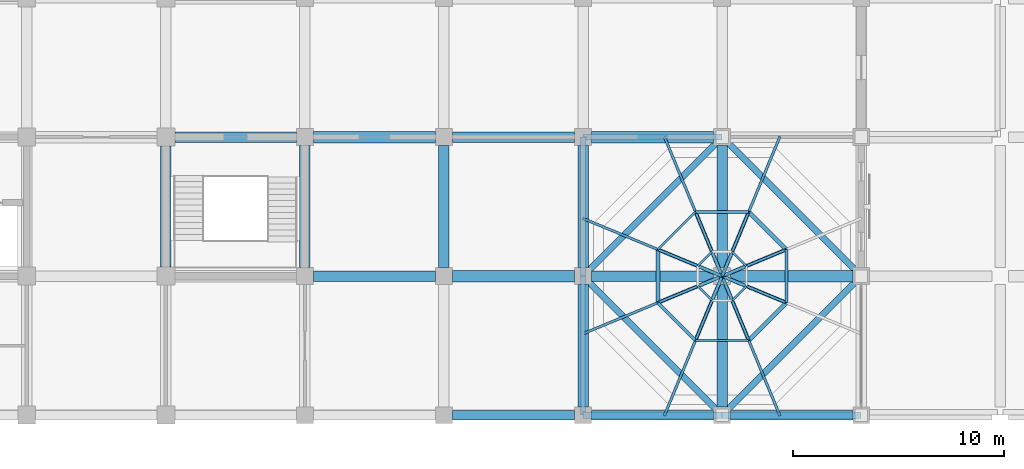
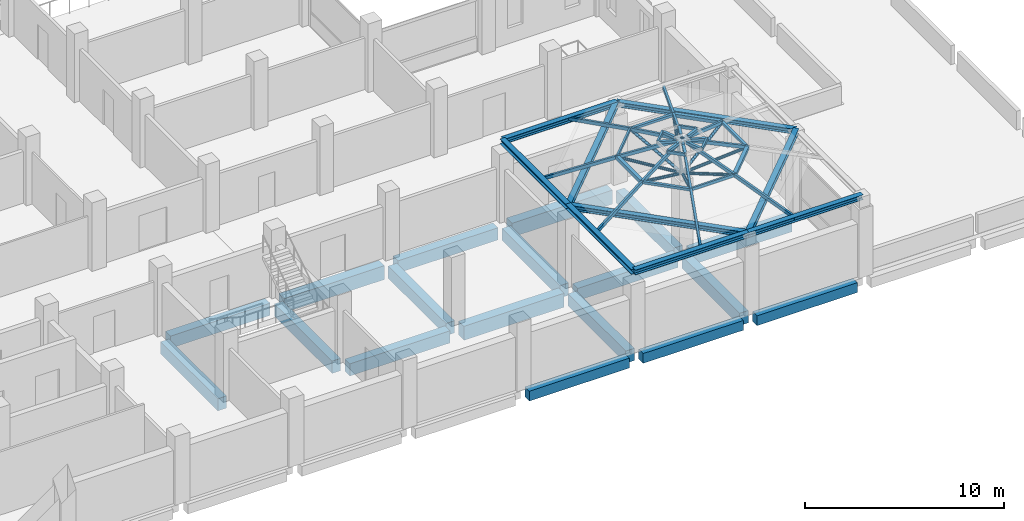
# One storey, part 2 of 25: 42 members, 27 beams.
"""IFC4 building model written with IfcOpenShell, lengths in metres."""

from ifc_helpers import new_model, si_unit, direction, frame, origin, origin_2d, place, context, subcontext, project, spatial, rectangle, hollow_rectangle, hollow_circle, i_section, extrude, material, material_profile, profile_set, type_object, element, save


model = new_model("IFC4")

# Units and contexts
model_context = context("Model", 3, precision=1e-05, world=origin(), true_north=direction((0.0, 1.0)))
body_context = subcontext(model_context, "Body", "Model", "MODEL_VIEW")
ifc_project = project(units=[si_unit("LENGTHUNIT", "METRE"), si_unit("AREAUNIT", "SQUARE_METRE"), si_unit("VOLUMEUNIT", "CUBIC_METRE"), si_unit("PLANEANGLEUNIT", "RADIAN"), si_unit("MASSUNIT", "GRAM", prefix="KILO")], contexts=[model_context])

# Site, building, storey
site_placement = place(None, origin())
site = spatial("IfcSite", under=ifc_project, at=site_placement, CompositionType="ELEMENT")
building_placement = place(site_placement, origin())
building = spatial("IfcBuilding", under=site, at=building_placement, Name="Rusizi Kubbe Research Institute", CompositionType="ELEMENT")
storey_placement = place(building_placement, frame((0.0, 0.0, 14.39990234375)))
storey = spatial("IfcBuildingStorey", under=building, at=storey_placement, Name="L03", CompositionType="ELEMENT", Elevation=14.39990234375)

# Beams
ifc_material_1 = material(Name="Steel S355", Category="steel")
ifc_material_profile_1 = material_profile(ifc_material_1, i_section(OverallWidth=0.300048828125, OverallDepth=0.300048828125, WebThickness=0.010986328125, FlangeThickness=0.01904296875, at=origin_2d()), Name="HEB 300")
ifc_profile_set_1 = profile_set([ifc_material_profile_1], Name="Steel S355")
beam_type_1 = type_object("IfcBeamType", Name="BM-HEB300", PredefinedType="BEAM", material=ifc_profile_set_1)
beam_1_placement = place(storey_placement, frame((52.800048828125, 0.0, 4.7001953125), z_axis=(1.0, 0.0, 0.0), x_axis=(0.0, 1.0, 0.0)))
element("IfcBeam", 1, at=beam_1_placement, inside=storey, type_object=beam_type_1, Name="Kubbe Dome Ring Beam DOME-EP1 S1", PredefinedType="BEAM", context=body_context, shape_type="SweptSolid", body=[
    extrude(i_section(OverallWidth=0.300048828125, OverallDepth=0.300048828125, WebThickness=0.010986328125, FlangeThickness=0.01904296875, at=origin_2d()), origin(), (0.0, 0.0, 1.0), 6.599853515625),
])
beam_2_placement = place(storey_placement, frame((59.39990234375, 0.0, 4.7001953125), z_axis=(1.0, 0.0, 0.0), x_axis=(0.0, 1.0, 0.0)))
element("IfcBeam", 2, at=beam_2_placement, inside=storey, type_object=beam_type_1, Name="Kubbe Dome Ring Beam DOME-EP1 S2", PredefinedType="BEAM", context=body_context, shape_type="SweptSolid", body=[
    extrude(i_section(OverallWidth=0.300048828125, OverallDepth=0.300048828125, WebThickness=0.010986328125, FlangeThickness=0.01904296875, at=origin_2d()), origin(), (0.0, 0.0, 1.0), 6.60009765625),
])
beam_3_placement = place(storey_placement, frame((52.800048828125, 13.199951171875, 4.7001953125), z_axis=(1.0, 0.0, 0.0), x_axis=(0.0, 1.0, 0.0)))
element("IfcBeam", 3, at=beam_3_placement, inside=storey, type_object=beam_type_1, Name="Kubbe Dome Ring Beam DOME-EP1 N1", PredefinedType="BEAM", context=body_context, shape_type="SweptSolid", body=[
    extrude(i_section(OverallWidth=0.300048828125, OverallDepth=0.300048828125, WebThickness=0.010986328125, FlangeThickness=0.01904296875, at=origin_2d()), origin(), (0.0, 0.0, 1.0), 6.599853515625),
])
beam_4_placement = place(storey_placement, frame((52.800048828125, 0.0, 4.7001953125), z_axis=(0.0, 1.0, 0.0), x_axis=(-1.0, 0.0, 0.0)))
element("IfcBeam", 4, at=beam_4_placement, inside=storey, type_object=beam_type_1, Name="Kubbe Dome Ring Beam DOME-EP1 W1", PredefinedType="BEAM", context=body_context, shape_type="SweptSolid", body=[
    extrude(i_section(OverallWidth=0.300048828125, OverallDepth=0.300048828125, WebThickness=0.010986328125, FlangeThickness=0.01904296875, at=origin_2d()), origin(), (0.0, 0.0, 1.0), 6.60009765625),
])
beam_5_placement = place(storey_placement, frame((52.800048828125, 6.60009765625, 4.7001953125), z_axis=(0.0, 1.0, 0.0), x_axis=(-1.0, 0.0, 0.0)))
element("IfcBeam", 5, at=beam_5_placement, inside=storey, type_object=beam_type_1, Name="Kubbe Dome Ring Beam DOME-EP1 W2", PredefinedType="BEAM", context=body_context, shape_type="SweptSolid", body=[
    extrude(i_section(OverallWidth=0.300048828125, OverallDepth=0.300048828125, WebThickness=0.010986328125, FlangeThickness=0.01904296875, at=origin_2d()), origin(), (0.0, 0.0, 1.0), 6.599853515625),
])
beam_6_placement = place(storey_placement, frame((52.800048828125, 6.60009765625, 4.7001953125), z_axis=(0.707093702722, -0.707119859409, 0.0), x_axis=(0.707119859409, 0.707093702722, 0.0)))
element("IfcBeam", 6, at=beam_6_placement, inside=storey, type_object=beam_type_1, Name="Kubbe Dome Ring Beam DOME-EP1 PSW", PredefinedType="BEAM", context=body_context, shape_type="SweptSolid", body=[
    extrude(i_section(OverallWidth=0.300048828125, OverallDepth=0.300048828125, WebThickness=0.010986328125, FlangeThickness=0.01904296875, at=origin_2d()), origin(), (0.0, 0.0, 1.0), 9.333740234375),
])
beam_7_placement = place(storey_placement, frame((59.39990234375, 0.0, 4.7001953125), z_axis=(0.707106781187, 0.707106781187, 0.0), x_axis=(-0.707106781187, 0.707106781187, 0.0)))
element("IfcBeam", 7, at=beam_7_placement, inside=storey, type_object=beam_type_1, Name="Kubbe Dome Ring Beam DOME-EP1 PSE", PredefinedType="BEAM", context=body_context, shape_type="SweptSolid", body=[
    extrude(i_section(OverallWidth=0.300048828125, OverallDepth=0.300048828125, WebThickness=0.010986328125, FlangeThickness=0.01904296875, at=origin_2d()), origin(), (0.0, 0.0, 1.0), 9.333984375),
])
beam_8_placement = place(storey_placement, frame((66.0, 6.60009765625, 4.7001953125), z_axis=(-0.707119859409, 0.707093702722, 0.0), x_axis=(-0.707093702722, -0.707119859409, 0.0)))
element("IfcBeam", 8, at=beam_8_placement, inside=storey, type_object=beam_type_1, Name="Kubbe Dome Ring Beam DOME-EP1 PNE", PredefinedType="BEAM", context=body_context, shape_type="SweptSolid", body=[
    extrude(i_section(OverallWidth=0.300048828125, OverallDepth=0.300048828125, WebThickness=0.010986328125, FlangeThickness=0.01904296875, at=origin_2d()), origin(), (0.0, 0.0, 1.0), 9.333740234375),
])
beam_9_placement = place(storey_placement, frame((59.39990234375, 13.199951171875, 4.7001953125), z_axis=(-0.707106781187, -0.707106781187, 0.0), x_axis=(0.707106781187, -0.707106781187, 0.0)))
element("IfcBeam", 9, at=beam_9_placement, inside=storey, type_object=beam_type_1, Name="Kubbe Dome Ring Beam DOME-EP1 PNW", PredefinedType="BEAM", context=body_context, shape_type="SweptSolid", body=[
    extrude(i_section(OverallWidth=0.300048828125, OverallDepth=0.300048828125, WebThickness=0.010986328125, FlangeThickness=0.01904296875, at=origin_2d()), origin(), (0.0, 0.0, 1.0), 9.33349609375),
])
ifc_material_2 = material(Name="Concrete C40/50", Category="concrete")
ifc_material_profile_2 = material_profile(ifc_material_2, rectangle(XDim=0.449951171875, YDim=0.60009765625, at=origin_2d()), Name="RC450x600")
ifc_profile_set_2 = profile_set([ifc_material_profile_2], Name="Concrete C40/50")
beam_type_2 = type_object("IfcBeamType", Name="BM-RC450x600", PredefinedType="SPANDREL", material=ifc_profile_set_2)
beam_10_placement = place(storey_placement, frame((46.60009765625, 0.0, -0.64990234375), z_axis=(1.0, 0.0, 0.0), x_axis=(0.0, 1.0, 0.0)))
element("IfcBeam", 10, at=beam_10_placement, inside=storey, type_object=beam_type_2, Name="Grid Beam H L03 (7,0)", PredefinedType="SPANDREL", context=body_context, shape_type="SweptSolid", body=[
    extrude(rectangle(XDim=0.449951171875, YDim=0.60009765625, at=origin_2d()), origin(), (0.0, 0.0, 1.0), 5.7998046875),
])
for number, where, z_axis, x_axis, name in (
    (11, (53.199951171875, 0.0, -0.64990234375), (1.0, 0.0, 0.0), (0.0, 1.0, 0.0), "Grid Beam H L03 (8,0)"),
    (12, (59.800048828125, 0.0, -0.64990234375), (1.0, 0.0, 0.0), (0.0, 1.0, 0.0), "Grid Beam H L03 (9,0)"),
):
    element("IfcBeam", number, at=place(storey_placement, frame(where, z_axis=z_axis, x_axis=x_axis)), inside=storey, type_object=beam_type_2, Name=name, PredefinedType="SPANDREL", context=body_context, shape_type="SweptSolid", body=[
        extrude(rectangle(XDim=0.449951171875, YDim=0.60009765625, at=origin_2d()), origin(), (0.0, 0.0, 1.0), 5.800048828125),
    ])
ifc_material_3 = material(Name="Concrete C45/55", Category="concrete")
ifc_material_profile_3 = material_profile(ifc_material_3, rectangle(XDim=0.5, YDim=0.75, at=origin_2d()), Name="RC500x750B")
ifc_profile_set_3 = profile_set([ifc_material_profile_3], Name="Concrete C45/55")
beam_type_3 = type_object("IfcBeamType", Name="BM-RC500x750", PredefinedType="BEAM", material=ifc_profile_set_3)
beam_11_placement = place(storey_placement, frame((33.425048828125, 13.199951171875, -0.724853515625), z_axis=(1.0, 0.0, 0.0), x_axis=(0.0, 1.0, 0.0)))
element("IfcBeam", 13, at=beam_11_placement, inside=storey, type_object=beam_type_3, Name="Grid Beam H L03 (5,2)", PredefinedType="BEAM", context=body_context, shape_type="SweptSolid", body=[
    extrude(rectangle(XDim=0.5, YDim=0.75, at=origin_2d()), origin(), (0.0, 0.0, 1.0), 5.77490234375),
])
beam_12_placement = place(storey_placement, frame((40.0, 6.60009765625, -0.724853515625), z_axis=(1.0, 0.0, 0.0), x_axis=(0.0, 1.0, 0.0)))
element("IfcBeam", 14, at=beam_12_placement, inside=storey, type_object=beam_type_3, Name="Grid Beam H L03 (6,1)", PredefinedType="BEAM", context=body_context, shape_type="SweptSolid", body=[
    extrude(rectangle(XDim=0.5, YDim=0.75, at=origin_2d()), origin(), (0.0, 0.0, 1.0), 5.800048828125),
])
beam_13_placement = place(storey_placement, frame((46.60009765625, 13.199951171875, -0.724853515625), z_axis=(1.0, 0.0, 0.0), x_axis=(0.0, 1.0, 0.0)))
element("IfcBeam", 15, at=beam_13_placement, inside=storey, type_object=beam_type_3, Name="Grid Beam H L03 (7,2)", PredefinedType="BEAM", context=body_context, shape_type="SweptSolid", body=[
    extrude(rectangle(XDim=0.5, YDim=0.75, at=origin_2d()), origin(), (0.0, 0.0, 1.0), 5.7998046875),
])
beam_14_placement = place(storey_placement, frame((53.199951171875, 6.60009765625, -0.724853515625), z_axis=(1.0, 0.0, 0.0), x_axis=(0.0, 1.0, 0.0)))
element("IfcBeam", 16, at=beam_14_placement, inside=storey, type_object=beam_type_3, Name="Grid Beam H L03 (8,1)", PredefinedType="BEAM", context=body_context, shape_type="SweptSolid", body=[
    extrude(rectangle(XDim=0.5, YDim=0.75, at=origin_2d()), origin(), (0.0, 0.0, 1.0), 5.800048828125),
])
beam_15_placement = place(storey_placement, frame((33.0, 7.02490234375, -0.724853515625), z_axis=(0.0, 1.0, 0.0), x_axis=(-1.0, 0.0, 0.0)))
element("IfcBeam", 17, at=beam_15_placement, inside=storey, type_object=beam_type_3, Name="Grid Beam V L03 (5,1)", PredefinedType="BEAM", context=body_context, shape_type="SweptSolid", body=[
    extrude(rectangle(XDim=0.5, YDim=0.75, at=origin_2d()), origin(), (0.0, 0.0, 1.0), 5.75),
])
for number, where, z_axis, x_axis, name in (
    (18, (39.60009765625, 7.0, -0.724853515625), (0.0, 1.0, 0.0), (-1.0, 0.0, 0.0), "Grid Beam V L03 (6,1)"),
    (19, (46.199951171875, 7.0, -0.724853515625), (0.0, 1.0, 0.0), (-1.0, 0.0, 0.0), "Grid Beam V L03 (7,1)"),
    (20, (52.800048828125, 0.39990234375, -0.724853515625), (0.0, 1.0, 0.0), (-1.0, 0.0, 0.0), "Grid Beam V L03 (8,0)"),
    (21, (52.800048828125, 7.0, -0.724853515625), (0.0, 1.0, 0.0), (-1.0, 0.0, 0.0), "Grid Beam V L03 (8,1)"),
    (22, (59.39990234375, 0.39990234375, -0.724853515625), (0.0, 1.0, 0.0), (-1.0, 0.0, 0.0), "Grid Beam V L03 (9,0)"),
    (23, (59.39990234375, 7.0, -0.724853515625), (0.0, 1.0, 0.0), (-1.0, 0.0, 0.0), "Grid Beam V L03 (9,1)"),
):
    element("IfcBeam", number, at=place(storey_placement, frame(where, z_axis=z_axis, x_axis=x_axis)), inside=storey, type_object=beam_type_3, Name=name, PredefinedType="BEAM", context=body_context, shape_type="SweptSolid", body=[
        extrude(rectangle(XDim=0.5, YDim=0.75, at=origin_2d()), origin(), (0.0, 0.0, 1.0), 5.800048828125),
    ])
ifc_material_4 = material(Name="Concrete C45/55", Category="concrete")
ifc_material_profile_4 = material_profile(ifc_material_4, rectangle(XDim=0.550048828125, YDim=0.85009765625, at=origin_2d()), Name="RC550x850")
ifc_profile_set_4 = profile_set([ifc_material_profile_4], Name="Concrete C45/55")
beam_type_4 = type_object("IfcBeamType", Name="BM-RC550x850", PredefinedType="BEAM", material=ifc_profile_set_4)
beam_16_placement = place(storey_placement, frame((40.0, 13.199951171875, -0.77490234375), z_axis=(1.0, 0.0, 0.0), x_axis=(0.0, 1.0, 0.0)))
element("IfcBeam", 24, at=beam_16_placement, inside=storey, type_object=beam_type_4, Name="Grid Beam H L03 (6,2)", PredefinedType="BEAM", context=body_context, shape_type="SweptSolid", body=[
    extrude(rectangle(XDim=0.550048828125, YDim=0.85009765625, at=origin_2d()), origin(), (0.0, 0.0, 1.0), 5.800048828125),
])
beam_17_placement = place(storey_placement, frame((46.60009765625, 6.60009765625, -0.77490234375), z_axis=(1.0, 0.0, 0.0), x_axis=(0.0, 1.0, 0.0)))
element("IfcBeam", 25, at=beam_17_placement, inside=storey, type_object=beam_type_4, Name="Grid Beam H L03 (7,1)", PredefinedType="BEAM", context=body_context, shape_type="SweptSolid", body=[
    extrude(rectangle(XDim=0.550048828125, YDim=0.85009765625, at=origin_2d()), origin(), (0.0, 0.0, 1.0), 5.7998046875),
])
for number, where, z_axis, x_axis, name in (
    (26, (53.199951171875, 13.199951171875, -0.77490234375), (1.0, 0.0, 0.0), (0.0, 1.0, 0.0), "Grid Beam H L03 (8,2)"),
    (27, (59.800048828125, 6.60009765625, -0.77490234375), (1.0, 0.0, 0.0), (0.0, 1.0, 0.0), "Grid Beam H L03 (9,1)"),
):
    element("IfcBeam", number, at=place(storey_placement, frame(where, z_axis=z_axis, x_axis=x_axis)), inside=storey, type_object=beam_type_4, Name=name, PredefinedType="BEAM", context=body_context, shape_type="SweptSolid", body=[
        extrude(rectangle(XDim=0.550048828125, YDim=0.85009765625, at=origin_2d()), origin(), (0.0, 0.0, 1.0), 5.800048828125),
    ])

# Members
ifc_material_5 = material(Name="Steel S355", Category="steel")
ifc_material_profile_5 = material_profile(ifc_material_5, hollow_circle(Radius=0.084228515625, WallThickness=0.00634765625, at=origin_2d()), Name="CHS 168.3x6.3")
ifc_profile_set_5 = profile_set([ifc_material_profile_5], Name="Steel S355")
member_type_1 = type_object("IfcMemberType", Name="MB-CHS168", PredefinedType="STRUT", material=ifc_profile_set_5)
for number, where, z_axis, x_axis, name in (
    (28, (59.39990234375, 6.60009765625, 4.400146484375), (0.860051539231, 0.356196873871, 0.365287745362), (-0.382639293348, 0.923897814256, 0.0), "Kubbe Radial King-Post Strut DOME-EP1-1"),
    (29, (59.39990234375, 6.60009765625, 4.400146484375), (0.356278105695, 0.860012508373, 0.36530041999), (-0.923860822032, 0.382728600334, 0.0), "Kubbe Radial King-Post Strut DOME-EP1-2"),
):
    element("IfcMember", number, at=place(storey_placement, frame(where, z_axis=z_axis, x_axis=x_axis)), inside=storey, type_object=member_type_1, Name=name, PredefinedType="STRUT", context=body_context, shape_type="SweptSolid", body=[
        extrude(hollow_circle(Radius=0.084228515625, WallThickness=0.00634765625, at=origin_2d()), origin(), (0.0, 0.0, 1.0), 3.544921875),
    ])
for number, where, z_axis, x_axis, name in (
    (30, (59.39990234375, 6.60009765625, 4.400146484375), (-0.356217973138, 0.860033609933, 0.365309383125), (-0.923886981107, -0.38266544937, 0.0), "Kubbe Radial King-Post Strut DOME-EP1-3"),
    (31, (59.39990234375, 6.60009765625, 4.400146484375), (-0.860033609933, 0.356217973138, 0.365309383125), (-0.38266544937, -0.923886981107, 0.0), "Kubbe Radial King-Post Strut DOME-EP1-4"),
):
    element("IfcMember", number, at=place(storey_placement, frame(where, z_axis=z_axis, x_axis=x_axis)), inside=storey, type_object=member_type_1, Name=name, PredefinedType="STRUT", context=body_context, shape_type="SweptSolid", body=[
        extrude(hollow_circle(Radius=0.084228515625, WallThickness=0.00634765625, at=origin_2d()), origin(), (0.0, 0.0, 1.0), 3.544677734375),
    ])
for number, where, z_axis, x_axis, name in (
    (32, (59.39990234375, 6.60009765625, 4.400146484375), (-0.860012508373, -0.356278105695, 0.36530041999), (0.382728600334, -0.923860822032, 0.0), "Kubbe Radial King-Post Strut DOME-EP1-5"),
    (33, (59.39990234375, 6.60009765625, 4.400146484375), (-0.356196873871, -0.860051539231, 0.365287745362), (0.923897814256, -0.382639293348, 0.0), "Kubbe Radial King-Post Strut DOME-EP1-6"),
    (34, (59.39990234375, 6.60009765625, 4.400146484375), (0.356257003902, -0.86003043973, 0.365278783819), (0.92387165845, 0.382702441477, 0.0), "Kubbe Radial King-Post Strut DOME-EP1-7"),
    (35, (59.39990234375, 6.60009765625, 4.400146484375), (0.86003043973, -0.356257003902, 0.365278783819), (0.382702441477, 0.92387165845, 0.0), "Kubbe Radial King-Post Strut DOME-EP1-8"),
):
    element("IfcMember", number, at=place(storey_placement, frame(where, z_axis=z_axis, x_axis=x_axis)), inside=storey, type_object=member_type_1, Name=name, PredefinedType="STRUT", context=body_context, shape_type="SweptSolid", body=[
        extrude(hollow_circle(Radius=0.084228515625, WallThickness=0.00634765625, at=origin_2d()), origin(), (0.0, 0.0, 1.0), 3.544921875),
    ])
ifc_material_6 = material(Name="Steel S355", Category="steel")
ifc_material_profile_6 = material_profile(ifc_material_6, hollow_rectangle(XDim=0.10009765625, YDim=0.179931640625, WallThickness=0.008056640625, at=origin_2d()), Name="RHS 180x100x8.0")
ifc_profile_set_6 = profile_set([ifc_material_profile_6], Name="Steel S355")
member_type_2 = type_object("IfcMemberType", Name="MB-RHS180", PredefinedType="PURLIN", material=ifc_profile_set_6)
member_1_placement = place(storey_placement, frame((60.554931640625, 7.078369140625, 6.400146484375), z_axis=(-0.707106781187, 0.707106781187, 0.0), x_axis=(-0.707106781187, -0.707106781187, 0.0)))
element("IfcMember", 36, at=member_1_placement, inside=storey, type_object=member_type_2, Name="Kubbe Dome Hoop Purlin Top DOME-EP1-1", PredefinedType="PURLIN", context=body_context, shape_type="SweptSolid", body=[
    extrude(hollow_rectangle(XDim=0.10009765625, YDim=0.179931640625, WallThickness=0.008056640625, at=origin_2d()), origin(), (0.0, 0.0, 1.0), 0.956787109375),
])
member_2_placement = place(storey_placement, frame((58.13720703125, 9.648681640625, 5.695068359375), z_axis=(-0.707106781187, -0.707106781187, 0.0), x_axis=(0.707106781187, -0.707106781187, 0.0)))
element("IfcMember", 37, at=member_2_placement, inside=storey, type_object=member_type_2, Name="Kubbe Vault Hoop Purlin Mid DOME-EP1-3", PredefinedType="PURLIN", context=body_context, shape_type="SweptSolid", body=[
    extrude(hollow_rectangle(XDim=0.10009765625, YDim=0.179931640625, WallThickness=0.008056640625, at=origin_2d()), origin(), (0.0, 0.0, 1.0), 2.525634765625),
])
for number, where, z_axis, x_axis, name in (
    (38, (58.921630859375, 7.7548828125, 6.400146484375), (-0.707106781187, -0.707106781187, 0.0), (0.707106781187, -0.707106781187, 0.0), "Kubbe Dome Hoop Purlin Top DOME-EP1-3"),
    (39, (58.2451171875, 6.12158203125, 6.400146484375), (0.707106781187, -0.707106781187, 0.0), (0.707106781187, 0.707106781187, 0.0), "Kubbe Dome Hoop Purlin Top DOME-EP1-5"),
):
    element("IfcMember", number, at=place(storey_placement, frame(where, z_axis=z_axis, x_axis=x_axis)), inside=storey, type_object=member_type_2, Name=name, PredefinedType="PURLIN", context=body_context, shape_type="SweptSolid", body=[
        extrude(hollow_rectangle(XDim=0.10009765625, YDim=0.179931640625, WallThickness=0.008056640625, at=origin_2d()), origin(), (0.0, 0.0, 1.0), 0.956787109375),
    ])
member_3_placement = place(storey_placement, frame((58.13720703125, 3.55126953125, 5.695068359375), z_axis=(1.0, 0.0, 0.0), x_axis=(0.0, 1.0, 0.0)))
element("IfcMember", 40, at=member_3_placement, inside=storey, type_object=member_type_2, Name="Kubbe Vault Hoop Purlin Mid DOME-EP1-6", PredefinedType="PURLIN", context=body_context, shape_type="SweptSolid", body=[
    extrude(hollow_rectangle(XDim=0.10009765625, YDim=0.179931640625, WallThickness=0.008056640625, at=origin_2d()), origin(), (0.0, 0.0, 1.0), 2.525634765625),
])
member_4_placement = place(storey_placement, frame((59.87841796875, 5.445068359375, 6.400146484375), z_axis=(0.707106781187, 0.707106781187, 0.0), x_axis=(-0.707106781187, 0.707106781187, 0.0)))
element("IfcMember", 41, at=member_4_placement, inside=storey, type_object=member_type_2, Name="Kubbe Dome Hoop Purlin Top DOME-EP1-7", PredefinedType="PURLIN", context=body_context, shape_type="SweptSolid", body=[
    extrude(hollow_rectangle(XDim=0.10009765625, YDim=0.179931640625, WallThickness=0.008056640625, at=origin_2d()), origin(), (0.0, 0.0, 1.0), 0.956787109375),
])
ifc_material_7 = material(Name="Steel S355", Category="steel")
ifc_material_profile_7 = material_profile(ifc_material_7, hollow_rectangle(XDim=0.1201171875, YDim=0.199951171875, WallThickness=0.008056640625, at=origin_2d()), Name="RHS 200x120x8.0")
ifc_profile_set_7 = profile_set([ifc_material_profile_7], Name="Steel S355")
member_type_3 = type_object("IfcMemberType", Name="MB-RHS200", PredefinedType="RAFTER", material=ifc_profile_set_7)
member_5_placement = place(storey_placement, frame((62.44873046875, 7.86279296875, 5.695068359375), z_axis=(-0.898822194899, -0.372254035235, 0.231399211771), x_axis=(0.382639293348, -0.923897814256, 0.0)))
element("IfcMember", 42, at=member_5_placement, inside=storey, type_object=member_type_3, Name="Kubbe Arch Rib Upper DOME-EP1-1", PredefinedType="RAFTER", context=body_context, shape_type="SweptSolid", body=[
    extrude(hollow_rectangle(XDim=0.1201171875, YDim=0.199951171875, WallThickness=0.008056640625, at=origin_2d()), origin(), (0.0, 0.0, 1.0), 3.39208984375),
])
member_6_placement = place(storey_placement, frame((62.1337890625, 13.199951171875, 4.7001953125), z_axis=(-0.370467812056, -0.894410754218, 0.25056536666), x_axis=(0.923882911584, -0.38267527446, 0.0)))
element("IfcMember", 43, at=member_6_placement, inside=storey, type_object=member_type_3, Name="Kubbe Arch Rib Lower DOME-EP1-2", PredefinedType="RAFTER", context=body_context, shape_type="SweptSolid", body=[
    extrude(hollow_rectangle(XDim=0.1201171875, YDim=0.199951171875, WallThickness=0.008056640625, at=origin_2d()), origin(), (0.0, 0.0, 1.0), 3.970458984375),
])
member_7_placement = place(storey_placement, frame((60.662841796875, 9.648681640625, 5.695068359375), z_axis=(-0.372340120015, -0.898784279649, 0.231407981026), x_axis=(0.923860822032, -0.382728600334, 0.0)))
element("IfcMember", 44, at=member_7_placement, inside=storey, type_object=member_type_3, Name="Kubbe Arch Rib Upper DOME-EP1-2", PredefinedType="RAFTER", context=body_context, shape_type="SweptSolid", body=[
    extrude(hollow_rectangle(XDim=0.1201171875, YDim=0.199951171875, WallThickness=0.008056640625, at=origin_2d()), origin(), (0.0, 0.0, 1.0), 3.391845703125),
])
member_8_placement = place(storey_placement, frame((56.666259765625, 13.199951171875, 4.7001953125), z_axis=(0.370467812056, -0.894410754218, 0.25056536666), x_axis=(0.923882911584, 0.38267527446, 0.0)))
element("IfcMember", 45, at=member_8_placement, inside=storey, type_object=member_type_3, Name="Kubbe Arch Rib Lower DOME-EP1-3", PredefinedType="RAFTER", context=body_context, shape_type="SweptSolid", body=[
    extrude(hollow_rectangle(XDim=0.1201171875, YDim=0.199951171875, WallThickness=0.008056640625, at=origin_2d()), origin(), (0.0, 0.0, 1.0), 3.970458984375),
])
member_9_placement = place(storey_placement, frame((58.13720703125, 9.648681640625, 5.695068359375), z_axis=(0.372278118694, -0.898808365841, 0.231414182444), x_axis=(0.923886981107, 0.38266544937, 0.0)))
element("IfcMember", 46, at=member_9_placement, inside=storey, type_object=member_type_3, Name="Kubbe Arch Rib Upper DOME-EP1-3", PredefinedType="RAFTER", context=body_context, shape_type="SweptSolid", body=[
    extrude(hollow_rectangle(XDim=0.1201171875, YDim=0.199951171875, WallThickness=0.008056640625, at=origin_2d()), origin(), (0.0, 0.0, 1.0), 3.391845703125),
])
member_10_placement = place(storey_placement, frame((52.800048828125, 9.333740234375, 4.7001953125), z_axis=(0.894410754218, -0.370467812056, 0.25056536666), x_axis=(0.38267527446, 0.923882911584, 0.0)))
element("IfcMember", 47, at=member_10_placement, inside=storey, type_object=member_type_3, Name="Kubbe Arch Rib Lower DOME-EP1-4", PredefinedType="RAFTER", context=body_context, shape_type="SweptSolid", body=[
    extrude(hollow_rectangle(XDim=0.1201171875, YDim=0.199951171875, WallThickness=0.008056640625, at=origin_2d()), origin(), (0.0, 0.0, 1.0), 3.970458984375),
])
member_11_placement = place(storey_placement, frame((56.351318359375, 7.86279296875, 5.695068359375), z_axis=(0.898808365841, -0.372278118694, 0.231414182444), x_axis=(0.38266544937, 0.923886981107, 0.0)))
element("IfcMember", 48, at=member_11_placement, inside=storey, type_object=member_type_3, Name="Kubbe Arch Rib Upper DOME-EP1-4", PredefinedType="RAFTER", context=body_context, shape_type="SweptSolid", body=[
    extrude(hollow_rectangle(XDim=0.1201171875, YDim=0.199951171875, WallThickness=0.008056640625, at=origin_2d()), origin(), (0.0, 0.0, 1.0), 3.391845703125),
])
member_12_placement = place(storey_placement, frame((52.800048828125, 3.8662109375, 4.7001953125), z_axis=(0.894410754218, 0.370467812056, 0.25056536666), x_axis=(-0.38267527446, 0.923882911584, 0.0)))
element("IfcMember", 49, at=member_12_placement, inside=storey, type_object=member_type_3, Name="Kubbe Arch Rib Lower DOME-EP1-5", PredefinedType="RAFTER", context=body_context, shape_type="SweptSolid", body=[
    extrude(hollow_rectangle(XDim=0.1201171875, YDim=0.199951171875, WallThickness=0.008056640625, at=origin_2d()), origin(), (0.0, 0.0, 1.0), 3.970458984375),
])
member_13_placement = place(storey_placement, frame((56.351318359375, 5.337158203125, 5.695068359375), z_axis=(0.898784279649, 0.372340120015, 0.231407981026), x_axis=(-0.382728600334, 0.923860822032, 0.0)))
element("IfcMember", 50, at=member_13_placement, inside=storey, type_object=member_type_3, Name="Kubbe Arch Rib Upper DOME-EP1-5", PredefinedType="RAFTER", context=body_context, shape_type="SweptSolid", body=[
    extrude(hollow_rectangle(XDim=0.1201171875, YDim=0.199951171875, WallThickness=0.008056640625, at=origin_2d()), origin(), (0.0, 0.0, 1.0), 3.391845703125),
])
member_14_placement = place(storey_placement, frame((56.666259765625, 0.0, 4.7001953125), z_axis=(0.370467812056, 0.894410754218, 0.25056536666), x_axis=(-0.923882911584, 0.38267527446, 0.0)))
element("IfcMember", 51, at=member_14_placement, inside=storey, type_object=member_type_3, Name="Kubbe Arch Rib Lower DOME-EP1-6", PredefinedType="RAFTER", context=body_context, shape_type="SweptSolid", body=[
    extrude(hollow_rectangle(XDim=0.1201171875, YDim=0.199951171875, WallThickness=0.008056640625, at=origin_2d()), origin(), (0.0, 0.0, 1.0), 3.970458984375),
])
member_15_placement = place(storey_placement, frame((58.13720703125, 3.55126953125, 5.695068359375), z_axis=(0.372254035235, 0.898822194899, 0.231399211771), x_axis=(-0.923897814256, 0.382639293348, 0.0)))
element("IfcMember", 52, at=member_15_placement, inside=storey, type_object=member_type_3, Name="Kubbe Arch Rib Upper DOME-EP1-6", PredefinedType="RAFTER", context=body_context, shape_type="SweptSolid", body=[
    extrude(hollow_rectangle(XDim=0.1201171875, YDim=0.199951171875, WallThickness=0.008056640625, at=origin_2d()), origin(), (0.0, 0.0, 1.0), 3.39208984375),
])
member_16_placement = place(storey_placement, frame((62.1337890625, 0.0, 4.7001953125), z_axis=(-0.370467812056, 0.894410754218, 0.25056536666), x_axis=(-0.923882911584, -0.38267527446, 0.0)))
element("IfcMember", 53, at=member_16_placement, inside=storey, type_object=member_type_3, Name="Kubbe Arch Rib Lower DOME-EP1-7", PredefinedType="RAFTER", context=body_context, shape_type="SweptSolid", body=[
    extrude(hollow_rectangle(XDim=0.1201171875, YDim=0.199951171875, WallThickness=0.008056640625, at=origin_2d()), origin(), (0.0, 0.0, 1.0), 3.970458984375),
])
for number, where, z_axis, x_axis, name in (
    (54, (60.662841796875, 3.55126953125, 5.695068359375), (-0.372316033836, 0.898798111453, 0.231393011557), (-0.92387165845, -0.382702441477, 0.0), "Kubbe Arch Rib Upper DOME-EP1-7"),
    (55, (62.44873046875, 5.337158203125, 5.695068359375), (-0.898798111453, 0.372316033836, 0.231393011557), (-0.382702441477, -0.92387165845, 0.0), "Kubbe Arch Rib Upper DOME-EP1-8"),
):
    element("IfcMember", number, at=place(storey_placement, frame(where, z_axis=z_axis, x_axis=x_axis)), inside=storey, type_object=member_type_3, Name=name, PredefinedType="RAFTER", context=body_context, shape_type="SweptSolid", body=[
        extrude(hollow_rectangle(XDim=0.1201171875, YDim=0.199951171875, WallThickness=0.008056640625, at=origin_2d()), origin(), (0.0, 0.0, 1.0), 3.39208984375),
    ])
ifc_material_8 = material(Name="Steel S355", Category="steel")
ifc_material_profile_8 = material_profile(ifc_material_8, hollow_rectangle(XDim=0.14990234375, YDim=0.14990234375, WallThickness=0.008056640625, at=origin_2d()), Name="SHS 150x150x8.0")
ifc_profile_set_8 = profile_set([ifc_material_profile_8], Name="Steel S355")
member_type_4 = type_object("IfcMemberType", Name="MB-SHS150", PredefinedType="PURLIN", material=ifc_profile_set_8)
member_17_placement = place(storey_placement, frame((59.39990234375, 6.60009765625, 6.400146484375), z_axis=(0.923924016974, 0.382576019711, 0.0), x_axis=(-0.382576019711, 0.923924016974, 0.0)))
element("IfcMember", 56, at=member_17_placement, inside=storey, type_object=member_type_4, Name="Kubbe Crown Collar DOME-EP1-1", PredefinedType="PURLIN", context=body_context, shape_type="SweptSolid", body=[
    extrude(hollow_rectangle(XDim=0.14990234375, YDim=0.14990234375, WallThickness=0.008056640625, at=origin_2d()), origin(), (0.0, 0.0, 1.0), 1.250244140625),
])
member_18_placement = place(storey_placement, frame((60.662841796875, 9.648681640625, 5.695068359375), z_axis=(-1.0, 0.0, 0.0), x_axis=(0.0, -1.0, 0.0)))
element("IfcMember", 57, at=member_18_placement, inside=storey, type_object=member_type_4, Name="Kubbe Vault Hoop Purlin Mid DOME-EP1-2", PredefinedType="PURLIN", context=body_context, shape_type="SweptSolid", body=[
    extrude(hollow_rectangle(XDim=0.14990234375, YDim=0.14990234375, WallThickness=0.008056640625, at=origin_2d()), origin(), (0.0, 0.0, 1.0), 2.525634765625),
])
for number, where, z_axis, x_axis, name in (
    (58, (59.39990234375, 6.60009765625, 6.400146484375), (0.382811769845, 0.923826362943, 0.0), (-0.923826362943, 0.382811769845, 0.0), "Kubbe Crown Collar DOME-EP1-2"),
    (59, (59.39990234375, 6.60009765625, 6.400146484375), (-0.382645061011, 0.923895425513, 0.0), (-0.923895425513, -0.382645061011, 0.0), "Kubbe Crown Collar DOME-EP1-3"),
    (60, (59.39990234375, 6.60009765625, 6.400146484375), (-0.923895425513, 0.382645061011, 0.0), (-0.382645061011, -0.923895425513, 0.0), "Kubbe Crown Collar DOME-EP1-4"),
):
    element("IfcMember", number, at=place(storey_placement, frame(where, z_axis=z_axis, x_axis=x_axis)), inside=storey, type_object=member_type_4, Name=name, PredefinedType="PURLIN", context=body_context, shape_type="SweptSolid", body=[
        extrude(hollow_rectangle(XDim=0.14990234375, YDim=0.14990234375, WallThickness=0.008056640625, at=origin_2d()), origin(), (0.0, 0.0, 1.0), 1.25),
    ])
member_19_placement = place(storey_placement, frame((56.351318359375, 5.337158203125, 5.695068359375), z_axis=(0.707106781187, -0.707106781187, 0.0), x_axis=(0.707106781187, 0.707106781187, 0.0)))
element("IfcMember", 61, at=member_19_placement, inside=storey, type_object=member_type_4, Name="Kubbe Vault Hoop Purlin Mid DOME-EP1-5", PredefinedType="PURLIN", context=body_context, shape_type="SweptSolid", body=[
    extrude(hollow_rectangle(XDim=0.14990234375, YDim=0.14990234375, WallThickness=0.008056640625, at=origin_2d()), origin(), (0.0, 0.0, 1.0), 2.525634765625),
])
member_20_placement = place(storey_placement, frame((59.39990234375, 6.60009765625, 6.400146484375), z_axis=(-0.923826362943, -0.382811769845, 0.0), x_axis=(0.382811769845, -0.923826362943, 0.0)))
element("IfcMember", 62, at=member_20_placement, inside=storey, type_object=member_type_4, Name="Kubbe Crown Collar DOME-EP1-5", PredefinedType="PURLIN", context=body_context, shape_type="SweptSolid", body=[
    extrude(hollow_rectangle(XDim=0.14990234375, YDim=0.14990234375, WallThickness=0.008056640625, at=origin_2d()), origin(), (0.0, 0.0, 1.0), 1.25),
])
for number, where, z_axis, x_axis, name in (
    (63, (59.39990234375, 6.60009765625, 6.400146484375), (-0.382576019711, -0.923924016974, 0.0), (0.923924016974, -0.382576019711, 0.0), "Kubbe Crown Collar DOME-EP1-6"),
    (64, (59.39990234375, 6.60009765625, 6.400146484375), (0.382742708789, -0.923854977185, 0.0), (0.923854977185, 0.382742708789, 0.0), "Kubbe Crown Collar DOME-EP1-7"),
):
    element("IfcMember", number, at=place(storey_placement, frame(where, z_axis=z_axis, x_axis=x_axis)), inside=storey, type_object=member_type_4, Name=name, PredefinedType="PURLIN", context=body_context, shape_type="SweptSolid", body=[
        extrude(hollow_rectangle(XDim=0.14990234375, YDim=0.14990234375, WallThickness=0.008056640625, at=origin_2d()), origin(), (0.0, 0.0, 1.0), 1.250244140625),
    ])
member_21_placement = place(storey_placement, frame((62.44873046875, 5.337158203125, 5.695068359375), z_axis=(0.0, 1.0, 0.0), x_axis=(-1.0, 0.0, 0.0)))
element("IfcMember", 65, at=member_21_placement, inside=storey, type_object=member_type_4, Name="Kubbe Vault Hoop Purlin Mid DOME-EP1-8", PredefinedType="PURLIN", context=body_context, shape_type="SweptSolid", body=[
    extrude(hollow_rectangle(XDim=0.14990234375, YDim=0.14990234375, WallThickness=0.008056640625, at=origin_2d()), origin(), (0.0, 0.0, 1.0), 2.525634765625),
])
member_22_placement = place(storey_placement, frame((59.39990234375, 6.60009765625, 6.400146484375), z_axis=(0.923854977185, -0.382742708789, 0.0), x_axis=(0.382742708789, 0.923854977185, 0.0)))
element("IfcMember", 66, at=member_22_placement, inside=storey, type_object=member_type_4, Name="Kubbe Crown Collar DOME-EP1-8", PredefinedType="PURLIN", context=body_context, shape_type="SweptSolid", body=[
    extrude(hollow_rectangle(XDim=0.14990234375, YDim=0.14990234375, WallThickness=0.008056640625, at=origin_2d()), origin(), (0.0, 0.0, 1.0), 1.250244140625),
])
ifc_material_9 = material(Name="Steel S355", Category="steel")
ifc_material_profile_9 = material_profile(ifc_material_9, hollow_rectangle(XDim=0.199951171875, YDim=0.199951171875, WallThickness=0.010009765625, at=origin_2d()), Name="SHS 200x200x10.0")
ifc_profile_set_9 = profile_set([ifc_material_profile_9], Name="Steel S355")
member_type_5 = type_object("IfcMemberType", Name="MB-SHS200", PredefinedType="PURLIN", material=ifc_profile_set_9)
for number, where, z_axis, x_axis, name in (
    (67, (62.44873046875, 7.86279296875, 5.695068359375), (-0.707106781187, 0.707106781187, 0.0), (-0.707106781187, -0.707106781187, 0.0), "Kubbe Vault Hoop Purlin Mid DOME-EP1-1"),
    (68, (56.351318359375, 7.86279296875, 5.695068359375), (0.0, -1.0, 0.0), (1.0, 0.0, 0.0), "Kubbe Vault Hoop Purlin Mid DOME-EP1-4"),
    (69, (60.662841796875, 3.55126953125, 5.695068359375), (0.707106781187, 0.707106781187, 0.0), (-0.707106781187, 0.707106781187, 0.0), "Kubbe Vault Hoop Purlin Mid DOME-EP1-7"),
):
    element("IfcMember", number, at=place(storey_placement, frame(where, z_axis=z_axis, x_axis=x_axis)), inside=storey, type_object=member_type_5, Name=name, PredefinedType="PURLIN", context=body_context, shape_type="SweptSolid", body=[
        extrude(hollow_rectangle(XDim=0.199951171875, YDim=0.199951171875, WallThickness=0.010009765625, at=origin_2d()), origin(), (0.0, 0.0, 1.0), 2.525634765625),
    ])

save(model, "model.ifc")
